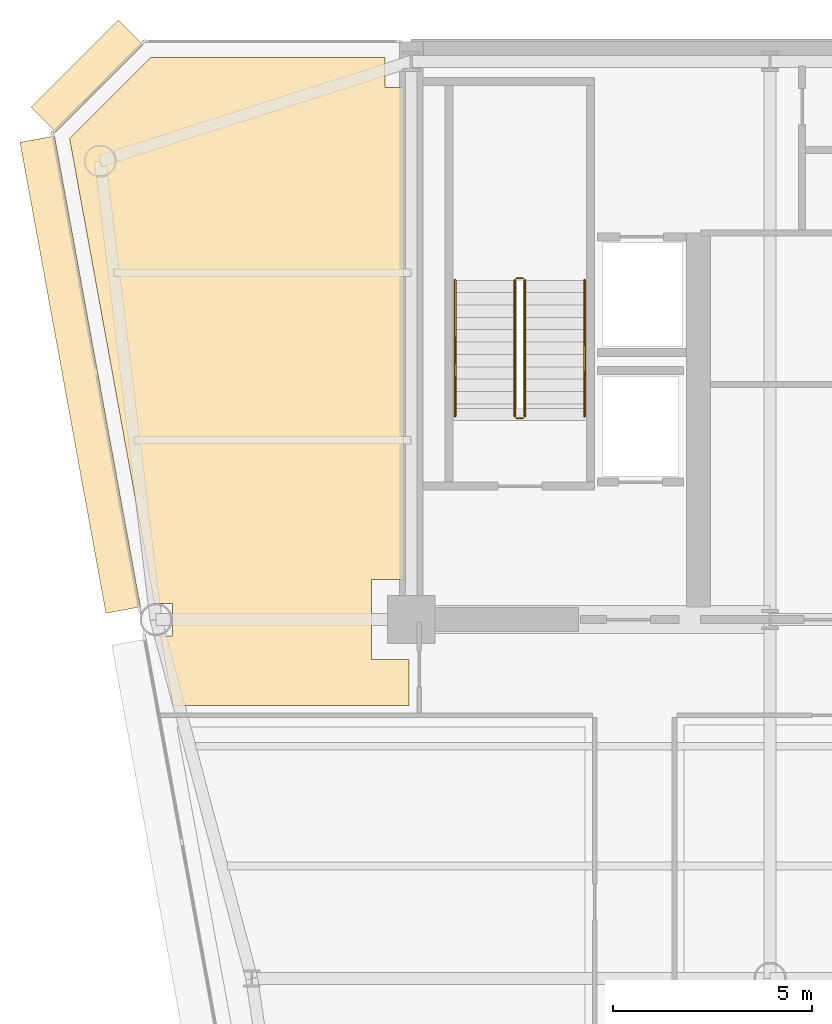
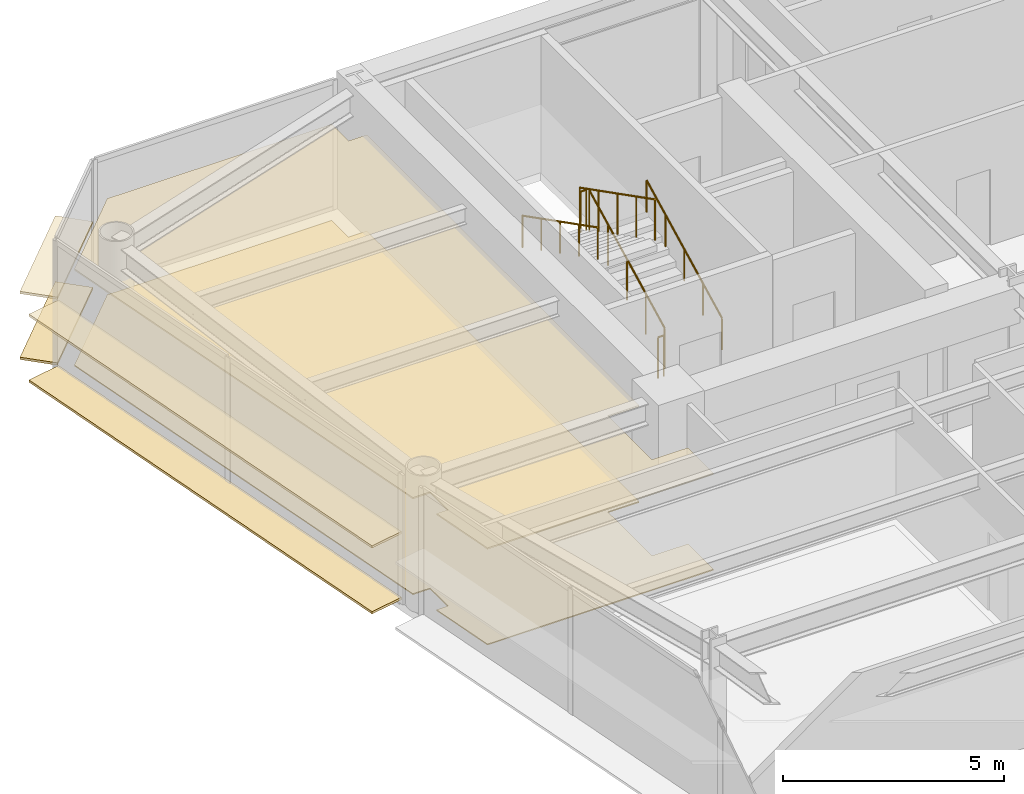
# One storey, part 15 of 17: 6 coverings, 6 railings.
"""IFC4 building model written with IfcOpenShell, lengths in metres."""

from ifc_helpers import new_model, si_unit, direction, frame, origin, origin_2d, place, context, subcontext, project, spatial, polyline, rectangle, circle, outline, extrude, source, transform, mapped, material, layer, layer_set, type_object, element, save


model = new_model("IFC4")

# Units and contexts
model_context = context("Model", 3, precision=1e-05, world=origin(), true_north=direction((0.0, 1.0)))
body_context = subcontext(model_context, "Body", "Model", "MODEL_VIEW")
ifc_project = project(units=[si_unit("LENGTHUNIT", "METRE"), si_unit("AREAUNIT", "SQUARE_METRE"), si_unit("VOLUMEUNIT", "CUBIC_METRE"), si_unit("PLANEANGLEUNIT", "RADIAN"), si_unit("MASSUNIT", "GRAM", prefix="KILO")], contexts=[model_context])

# Site, building, storey
site_placement = place(None, origin())
site = spatial("IfcSite", under=ifc_project, at=site_placement, CompositionType="ELEMENT")
building_placement = place(site_placement, origin())
building = spatial("IfcBuilding", under=site, at=building_placement, Name="Vaeldorn Concourse Tower", CompositionType="ELEMENT")
storey_placement = place(building_placement, frame((0.0, 0.0, 169.0)))
storey = spatial("IfcBuildingStorey", under=building, at=storey_placement, Name="L43", CompositionType="ELEMENT", Elevation=169.0)

# Coverings
ifc_material_1 = material(Name="Acoustic Mineral Fibre Board", Category="gypsum")
ifc_layer_1 = layer(ifc_material_1, 0.0400390625)
ifc_layer_set_1 = layer_set([ifc_layer_1], Name="Acoustic Mineral Fibre Board")
covering_type_1 = type_object("IfcCoveringType", Name="COV-CEIL-ACOUSTIC", PredefinedType="CEILING", material=ifc_layer_set_1)
covering_1_placement = place(storey_placement, frame((0.0, 0.0, 2.64990234375)))
element("IfcCovering", 1, at=covering_1_placement, inside=storey, type_object=covering_type_1, Name="Suspended Acoustic Ceiling L43-3", PredefinedType="CEILING", context=body_context, shape_type="SweptSolid", body=[
    extrude(outline(polyline([(7.4658203125, 50.60009765625), (13.340087890625, 50.60009765625), (13.340087890625, 49.840087890625), (13.820068359375, 49.840087890625), (13.820068359375, 37.5), (13.0, 37.5), (13.0, 35.5), (13.93994140625, 35.5), (13.93994140625, 34.340087890625), (8.02587890625, 34.340087890625), (7.706298828125, 36.093505859375), (8.006591796875, 36.093505859375), (8.006591796875, 36.906494140625), (7.557861328125, 36.906494140625), (5.43115234375, 48.5654296875), (7.4658203125, 50.60009765625)])), origin(), (0.0, 0.0, 1.0), 0.0400390625),
])
ifc_material_2 = material(Name="Honed Limestone Terrazzo Flooring", Category="masonry")
ifc_layer_2 = layer(ifc_material_2, 0.0400390625)
ifc_layer_set_2 = layer_set([ifc_layer_2], Name="Honed Limestone Terrazzo Flooring")
covering_type_2 = type_object("IfcCoveringType", Name="COV-FLOOR-STONE", PredefinedType="FLOORING", material=ifc_layer_set_2)
covering_2_placement = place(storey_placement, origin())
element("IfcCovering", 2, at=covering_2_placement, inside=storey, type_object=covering_type_2, Name="Floor Finish Covering L43-3", PredefinedType="FLOORING", context=body_context, shape_type="SweptSolid", body=[
    extrude(outline(polyline([(7.4658203125, 50.60009765625), (13.340087890625, 50.60009765625), (13.340087890625, 49.840087890625), (13.820068359375, 49.840087890625), (13.820068359375, 37.5), (13.0, 37.5), (13.0, 35.5), (13.93994140625, 35.5), (13.93994140625, 34.340087890625), (8.02587890625, 34.340087890625), (7.706298828125, 36.093505859375), (8.006591796875, 36.093505859375), (8.006591796875, 36.906494140625), (7.557861328125, 36.906494140625), (5.43115234375, 48.5654296875), (7.4658203125, 50.60009765625)])), origin(), (0.0, 0.0, 1.0), 0.030029296875),
])

# Railings
ifc_material_3 = material(Name="Anodised Bronze Aluminium", Category="aluminium")
railing_type_1 = type_object("IfcRailingType", Name="RL-STAIR-GUARD", PredefinedType="GUARDRAIL", material=ifc_material_3)
railing_1_placement = place(storey_placement, frame((16.85009765625, 41.60009765625, 0.158447265625)))
element("IfcRailing", 3, at=railing_1_placement, inside=storey, type_object=railing_type_1, Name="L43 ST-1 stair guard 1", PredefinedType="GUARDRAIL", context=body_context, shape_type="SweptSolid", body=[
    extrude(circle(Radius=0.02392578125, at=origin_2d()), frame((0.0, 0.0, 1.1259765625), z_axis=(0.0, 0.890581635807, 0.454823427236), x_axis=(-1.0, 0.0, 0.0)), (0.0, 0.0, 1.0), 3.828857421875),
    extrude(circle(Radius=0.02099609375, at=origin_2d()), origin(), (0.0, 0.0, 1.0), 1.101806640625),
    extrude(circle(Radius=0.02099609375, at=origin_2d()), frame((0.0, 0.8525390625, 0.435302734375)), (0.0, 0.0, 1.0), 1.101806640625),
    extrude(circle(Radius=0.02099609375, at=origin_2d()), frame((0.0, 1.705078125, 0.87060546875)), (0.0, 0.0, 1.0), 1.101806640625),
    extrude(circle(Radius=0.02099609375, at=origin_2d()), frame((0.0, 2.557373046875, 1.30615234375)), (0.0, 0.0, 1.0), 1.101806640625),
    extrude(circle(Radius=0.02099609375, at=origin_2d()), frame((0.0, 3.409912109375, 1.741455078125)), (0.0, 0.0, 1.0), 1.101806640625),
])
railing_2_placement = place(storey_placement, frame((16.800048828125, 45.06005859375, 1.89990234375)))
element("IfcRailing", 4, at=railing_2_placement, inside=storey, type_object=railing_type_1, Name="L43 ST-1 stair guard 2", PredefinedType="GUARDRAIL", context=body_context, shape_type="SweptSolid", body=[
    extrude(circle(Radius=0.02392578125, at=origin_2d()), frame((0.0, 0.0, 1.1259765625), z_axis=(-1.0, 0.0, 0.0), x_axis=(0.0, -1.0, 0.0)), (0.0, 0.0, 1.0), 0.150146484375),
    extrude(circle(Radius=0.02099609375, at=origin_2d()), origin(), (0.0, 0.0, 1.0), 1.101806640625),
    extrude(circle(Radius=0.02099609375, at=origin_2d()), frame((-0.150146484375, 0.0, 0.0)), (0.0, 0.0, 1.0), 1.101806640625),
])
railing_3_placement = place(storey_placement, frame((16.60009765625, 45.010009765625, 2.058349609375)))
element("IfcRailing", 5, at=railing_3_placement, inside=storey, type_object=railing_type_1, Name="L43 ST-1 stair guard 3", PredefinedType="GUARDRAIL", context=body_context, shape_type="SweptSolid", body=[
    extrude(circle(Radius=0.02392578125, at=origin_2d()), frame((0.0, 0.0, 1.1259765625), z_axis=(0.0, -0.890555807335, 0.454873997962), x_axis=(1.0, 0.0, 0.0)), (0.0, 0.0, 1.0), 3.828857421875),
    extrude(circle(Radius=0.02099609375, at=origin_2d()), origin(), (0.0, 0.0, 1.0), 1.101806640625),
    extrude(circle(Radius=0.02099609375, at=origin_2d()), frame((0.0, -0.8525390625, 0.435546875)), (0.0, 0.0, 1.0), 1.101806640625),
    extrude(circle(Radius=0.02099609375, at=origin_2d()), frame((0.0, -1.705078125, 0.870849609375)), (0.0, 0.0, 1.0), 1.101806640625),
    extrude(circle(Radius=0.02099609375, at=origin_2d()), frame((0.0, -2.557373046875, 1.30615234375)), (0.0, 0.0, 1.0), 1.101806640625),
    extrude(circle(Radius=0.02099609375, at=origin_2d()), frame((0.0, -3.409912109375, 1.74169921875)), (0.0, 0.0, 1.0), 1.101806640625),
])
railing_4_placement = place(storey_placement, frame((16.800048828125, 41.550048828125, 0.0)))
element("IfcRailing", 6, at=railing_4_placement, inside=storey, type_object=railing_type_1, Name="L43 ST-1 stair guard 4", PredefinedType="GUARDRAIL", context=body_context, shape_type="SweptSolid", body=[
    extrude(circle(Radius=0.02392578125, at=origin_2d()), frame((0.0, 0.0, 1.1259765625), z_axis=(-1.0, 0.0, 0.0), x_axis=(0.0, -1.0, 0.0)), (0.0, 0.0, 1.0), 0.150146484375),
    extrude(circle(Radius=0.02099609375, at=origin_2d()), origin(), (0.0, 0.0, 1.0), 1.101806640625),
    extrude(circle(Radius=0.02099609375, at=origin_2d()), frame((-0.150146484375, 0.0, 0.0)), (0.0, 0.0, 1.0), 1.101806640625),
])
railing_type_2 = type_object("IfcRailingType", Name="RL-STAIR-HANDRAIL", PredefinedType="HANDRAIL", material=ifc_material_3)
railing_5_placement = place(storey_placement, frame((18.35009765625, 41.60009765625, 0.158447265625)))
element("IfcRailing", 7, at=railing_5_placement, inside=storey, type_object=railing_type_2, Name="L43 ST-1 stair handrail 1", PredefinedType="HANDRAIL", context=body_context, shape_type="SweptSolid", body=[
    extrude(circle(Radius=0.02392578125, at=origin_2d()), frame((0.0, 0.0, 0.8759765625), z_axis=(0.0, 0.890581635807, 0.454823427236), x_axis=(-1.0, 0.0, 0.0)), (0.0, 0.0, 1.0), 3.828857421875),
    extrude(circle(Radius=0.02099609375, at=origin_2d()), origin(), (0.0, 0.0, 1.0), 0.851806640625),
    extrude(circle(Radius=0.02099609375, at=origin_2d()), frame((0.0, 0.8525390625, 0.435302734375)), (0.0, 0.0, 1.0), 0.851806640625),
    extrude(circle(Radius=0.02099609375, at=origin_2d()), frame((0.0, 1.705078125, 0.87060546875)), (0.0, 0.0, 1.0), 0.851806640625),
    extrude(circle(Radius=0.02099609375, at=origin_2d()), frame((0.0, 2.557373046875, 1.30615234375)), (0.0, 0.0, 1.0), 0.851806640625),
    extrude(circle(Radius=0.02099609375, at=origin_2d()), frame((0.0, 3.409912109375, 1.741455078125)), (0.0, 0.0, 1.0), 0.851806640625),
])
railing_6_placement = place(storey_placement, frame((15.10009765625, 45.010009765625, 2.058349609375)))
element("IfcRailing", 8, at=railing_6_placement, inside=storey, type_object=railing_type_2, Name="L43 ST-1 stair handrail 2", PredefinedType="HANDRAIL", context=body_context, shape_type="SweptSolid", body=[
    extrude(circle(Radius=0.02392578125, at=origin_2d()), frame((0.0, 0.0, 0.8759765625), z_axis=(0.0, -0.890555807335, 0.454873997962), x_axis=(1.0, 0.0, 0.0)), (0.0, 0.0, 1.0), 3.828857421875),
    extrude(circle(Radius=0.02099609375, at=origin_2d()), origin(), (0.0, 0.0, 1.0), 0.851806640625),
    extrude(circle(Radius=0.02099609375, at=origin_2d()), frame((0.0, -0.8525390625, 0.435546875)), (0.0, 0.0, 1.0), 0.851806640625),
    extrude(circle(Radius=0.02099609375, at=origin_2d()), frame((0.0, -1.705078125, 0.870849609375)), (0.0, 0.0, 1.0), 0.851806640625),
    extrude(circle(Radius=0.02099609375, at=origin_2d()), frame((0.0, -2.557373046875, 1.30615234375)), (0.0, 0.0, 1.0), 0.851806640625),
    extrude(circle(Radius=0.02099609375, at=origin_2d()), frame((0.0, -3.409912109375, 1.74169921875)), (0.0, 0.0, 1.0), 0.851806640625),
])

# Coverings
ifc_layer_3 = layer(ifc_material_3, 0.06494140625)
ifc_layer_set_3 = layer_set([ifc_layer_3], Name="Anodised Bronze Aluminium")
covering_type_3 = type_object("IfcCoveringType", Name="SD-BRONZE-SUNSHADE", PredefinedType="USERDEFINED", material=ifc_layer_set_3)
shared_shape_1 = source(origin(), body_context, "Body", "SweptSolid", [
    extrude(rectangle(XDim=3.0927734375, YDim=0.8798828125, at=origin_2d()), origin(), (0.0, 0.0, 1.0), 0.06494140625),
])
for number, where, z_axis, x_axis, name in (
    (9, (5.8671875, 50.1328125, 0.047607421875), (0.0, 0.0, 1.0), (-0.707106781187, -0.707106781187, 0.0), "Horizontal Bronze Sunshade L43-E10.1.1"),
    (10, (5.8671875, 50.1328125, 1.867431640625), (0.0, 0.0, 1.0), (-0.707106781187, -0.707106781187, 0.0), "Horizontal Bronze Sunshade L43-E10.1.2"),
):
    element("IfcCovering", number, at=place(storey_placement, frame(where, z_axis=z_axis, x_axis=x_axis)), inside=storey, type_object=covering_type_3, Name=name, ObjectType="SUNSHADE", PredefinedType="USERDEFINED", context=body_context, shape_type="MappedRepresentation", body=[
        mapped(shared_shape_1, transform((0.0, 0.0, 0.0), scale=1.0)),
    ])
shared_shape_2 = source(origin(), body_context, "Body", "SweptSolid", [
    extrude(rectangle(XDim=12.0078125, YDim=0.8798828125, at=origin_2d()), origin(), (0.0, 0.0, 1.0), 0.06494140625),
])
for number, where, z_axis, x_axis, name in (
    (11, (5.6982421875, 42.64306640625, 0.047607421875), (0.0, 0.0, 1.0), (0.179454713012, -0.983766235433, 0.0), "Horizontal Bronze Sunshade L43-E11.1.1"),
    (12, (5.6982421875, 42.64306640625, 1.867431640625), (0.0, 0.0, 1.0), (0.179454713012, -0.983766235433, 0.0), "Horizontal Bronze Sunshade L43-E11.1.2"),
):
    element("IfcCovering", number, at=place(storey_placement, frame(where, z_axis=z_axis, x_axis=x_axis)), inside=storey, type_object=covering_type_3, Name=name, ObjectType="SUNSHADE", PredefinedType="USERDEFINED", context=body_context, shape_type="MappedRepresentation", body=[
        mapped(shared_shape_2, transform((0.0, 0.0, 0.0), scale=1.0)),
    ])

save(model, "model.ifc")
